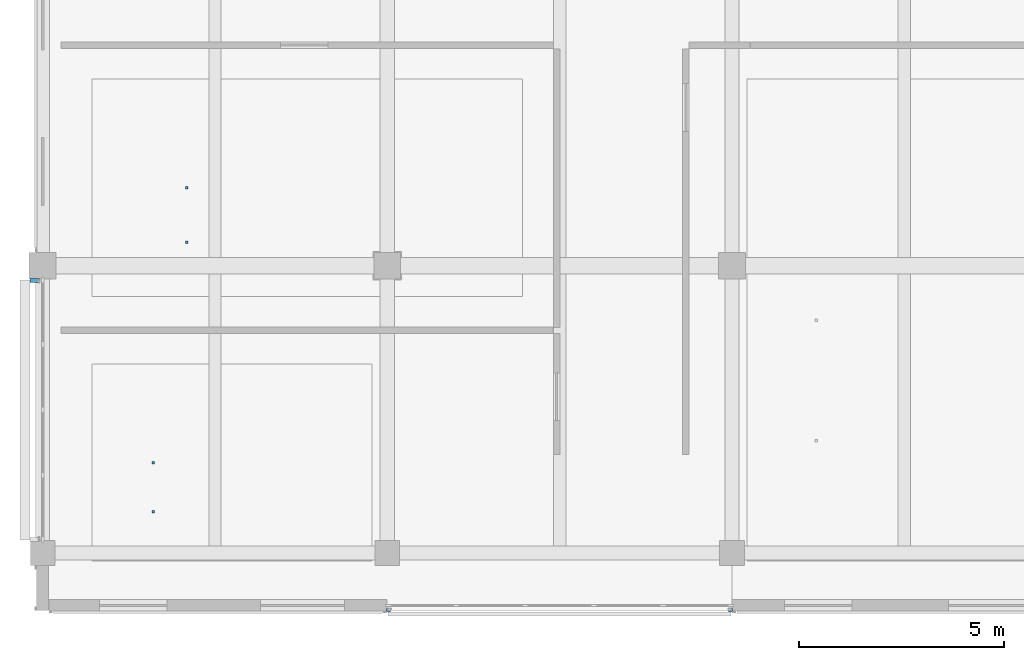
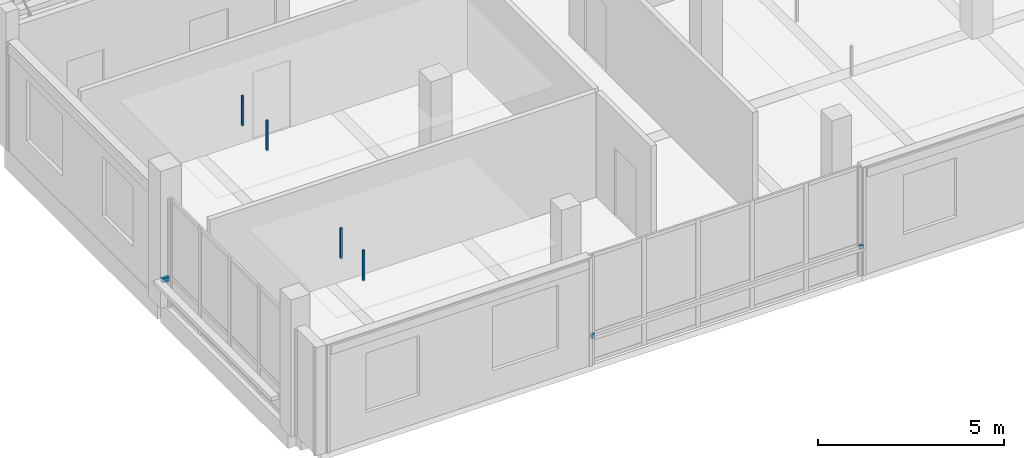
# One storey, part 14 of 30: 7 discrete accessories.
"""IFC4 building model written with IfcOpenShell, lengths in metres."""

from ifc_helpers import new_model, si_unit, direction, frame, origin, origin_2d, place, context, subcontext, project, spatial, rectangle, extrude, material, type_object, element, save


model = new_model("IFC4")

# Units and contexts
model_context = context("Model", 3, precision=1e-05, world=origin(), true_north=direction((0.0, 1.0)))
body_context = subcontext(model_context, "Body", "Model", "MODEL_VIEW")
ifc_project = project(units=[si_unit("LENGTHUNIT", "METRE"), si_unit("AREAUNIT", "SQUARE_METRE"), si_unit("VOLUMEUNIT", "CUBIC_METRE"), si_unit("PLANEANGLEUNIT", "RADIAN"), si_unit("MASSUNIT", "GRAM", prefix="KILO")], contexts=[model_context])

# Site, building, storey
site_placement = place(None, origin())
site = spatial("IfcSite", under=ifc_project, at=site_placement, CompositionType="ELEMENT")
building_placement = place(site_placement, origin())
building = spatial("IfcBuilding", under=site, at=building_placement, Name="Telukmera Botanical Conservatory", CompositionType="ELEMENT")
storey_placement = place(building_placement, frame((0.0, 0.0, 60.0)))
storey = spatial("IfcBuildingStorey", under=building, at=storey_placement, Name="L13", CompositionType="ELEMENT", Elevation=60.0)

# Discrete accessories
ifc_material = material(Name="Steel S355", Category="steel")
discrete_accessory_type_1 = type_object("IfcDiscreteAccessoryType", Name="ACC-CEIL-HGR", PredefinedType="BRACKET", material=ifc_material)
for number, where, z_axis, x_axis, name in (
    (1, (62.31005859375, 18.175048828125, 3.31982421875), (0.0, 0.0, 1.0), (1.0, 0.0, 0.0), "L13 Suspended Ceiling Hanger Rod 023-1"),
    (2, (62.31005859375, 19.5, 3.31982421875), (0.0, 0.0, 1.0), (1.0, 0.0, 0.0), "L13 Suspended Ceiling Hanger Rod 023-2"),
):
    element("IfcDiscreteAccessory", number, at=place(storey_placement, frame(where, z_axis=z_axis, x_axis=x_axis)), inside=storey, type_object=discrete_accessory_type_1, Name=name, PredefinedType="BRACKET", context=body_context, shape_type="SweptSolid", body=[
        extrude(rectangle(XDim=0.06005859375, YDim=0.06005859375, at=origin_2d()), origin(), (0.0, 0.0, 1.0), 0.985107421875),
    ])
for number, where, z_axis, x_axis, name in (
    (3, (61.502685546875, 11.60009765625, 3.31005859375), (0.0, 0.0, 1.0), (1.0, 0.0, 0.0), "L13 Suspended Ceiling Hanger Rod 024-1"),
    (4, (61.502685546875, 12.800048828125, 3.31005859375), (0.0, 0.0, 1.0), (1.0, 0.0, 0.0), "L13 Suspended Ceiling Hanger Rod 024-2"),
):
    element("IfcDiscreteAccessory", number, at=place(storey_placement, frame(where, z_axis=z_axis, x_axis=x_axis)), inside=storey, type_object=discrete_accessory_type_1, Name=name, PredefinedType="BRACKET", context=body_context, shape_type="SweptSolid", body=[
        extrude(rectangle(XDim=0.06005859375, YDim=0.06005859375, at=origin_2d()), origin(), (0.0, 0.0, 1.0), 0.9951171875),
    ])
discrete_accessory_type_2 = type_object("IfcDiscreteAccessoryType", Name="Structural Steel Facade Outrigger Fin Bracket", PredefinedType="BRACKET", material=ifc_material)
for number, where, z_axis, x_axis, name in (
    (5, (67.23193359375, 9.205078125, 0.8798828125), (0.0, 0.0, 1.0), (1.0, 0.0, 0.0), "Facade Outrigger Bracket V4:L13:S2 A"),
    (6, (75.568115234375, 9.205078125, 0.8798828125), (0.0, 0.0, 1.0), (1.0, 0.0, 0.0), "Facade Outrigger Bracket V4:L13:S2 B"),
):
    element("IfcDiscreteAccessory", number, at=place(storey_placement, frame(where, z_axis=z_axis, x_axis=x_axis)), inside=storey, type_object=discrete_accessory_type_2, Name=name, PredefinedType="BRACKET", context=body_context, shape_type="SweptSolid", body=[
        extrude(rectangle(XDim=0.10009765625, YDim=0.090087890625, at=origin_2d()), origin(), (0.0, 0.0, 1.0), 0.139892578125),
    ])
discrete_accessory_placement = place(storey_placement, frame((58.610107421875, 17.242919921875, 0.8798828125), z_axis=(0.0, 0.0, 1.0), x_axis=(0.0, 1.0, 0.0)))
element("IfcDiscreteAccessory", 7, at=discrete_accessory_placement, inside=storey, type_object=discrete_accessory_type_2, Name="Facade Outrigger Bracket V4:L13:W1 B", PredefinedType="BRACKET", context=body_context, shape_type="SweptSolid", body=[
    extrude(rectangle(XDim=0.10009765625, YDim=0.239990234375, at=origin_2d()), origin(), (0.0, 0.0, 1.0), 0.139892578125),
])

save(model, "model.ifc")
